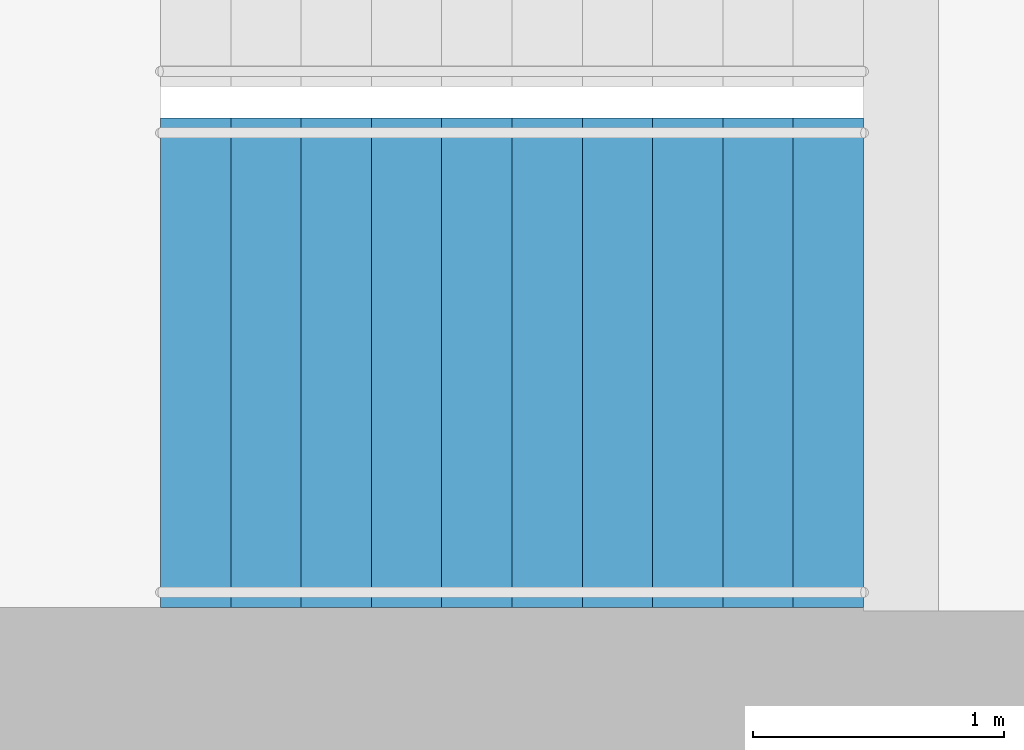
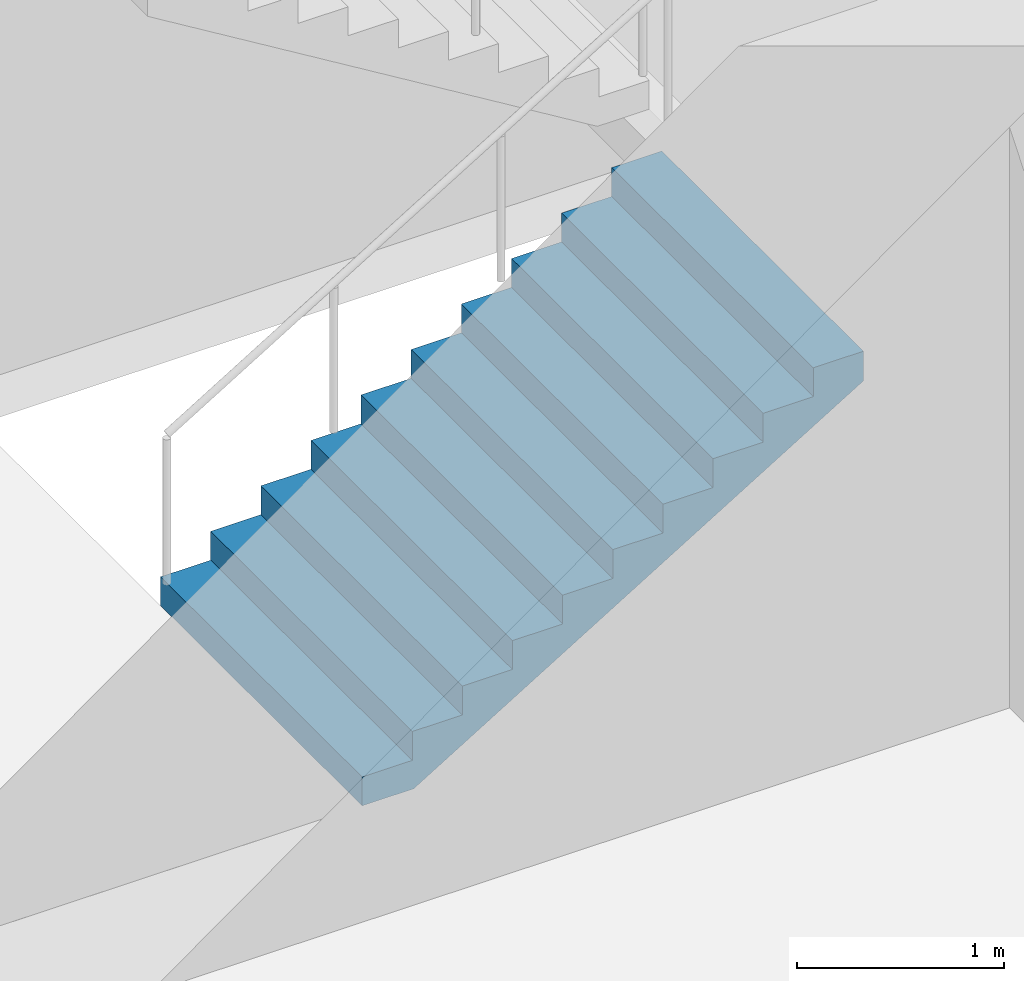
# One storey, part 18 of 22: 1 stair flight, 1 element without a shape of its own.
"""IFC4 building model written with IfcOpenShell, lengths in metres."""

from ifc_helpers import new_model, si_unit, direction, frame, origin, place, context, subcontext, project, spatial, triangles, material, type_object, element, aggregate, save


model = new_model("IFC4")

# Units and contexts
model_context = context("Model", 3, precision=1e-05, world=origin(), true_north=direction((0.0, 1.0)))
body_context = subcontext(model_context, "Body", "Model", "MODEL_VIEW")
ifc_project = project(units=[si_unit("LENGTHUNIT", "METRE"), si_unit("AREAUNIT", "SQUARE_METRE"), si_unit("VOLUMEUNIT", "CUBIC_METRE"), si_unit("PLANEANGLEUNIT", "RADIAN"), si_unit("MASSUNIT", "GRAM", prefix="KILO")], contexts=[model_context])

# Site, building, storey
site_placement = place(None, origin())
site = spatial("IfcSite", under=ifc_project, at=site_placement, CompositionType="ELEMENT")
building_placement = place(site_placement, origin())
building = spatial("IfcBuilding", under=site, at=building_placement, Name="Orbita Commons", CompositionType="ELEMENT")
storey_placement = place(building_placement, frame((0.0, 0.0, 159.85009765625)))
storey = spatial("IfcBuildingStorey", under=building, at=storey_placement, Name="L39", CompositionType="ELEMENT", Elevation=159.85009765625)

# Stair, stair flight
ifc_material_1 = material(Name="Precast concrete C40/50", Category="concrete")
stair_type = type_object("IfcStairType", Name="Exit stair S1 2 flights 11 risers 170", PredefinedType="HALF_TURN_STAIR", material=ifc_material_1)
stair_placement = place(storey_placement, origin())
stair = element("IfcStair", 1, at=stair_placement, inside=storey, type_object=stair_type, Name="Exit stair S1 L39", PredefinedType="HALF_TURN_STAIR")
ifc_material_2 = material(Name="Precast concrete C40/50", Category="concrete")
stair_flight_type = type_object("IfcStairFlightType", Name="Stair flight 11 risers 170 x 280", PredefinedType="STRAIGHT", material=ifc_material_2)
stair_flight_placement = place(storey_placement, frame((20.449951171875, 27.199951171875, 0.0), z_axis=(0.0, 0.0, 1.0), x_axis=(1.0, 0.0, 0.0)))
stair_flight = element("IfcStairFlight", 2, at=stair_flight_placement, type_object=stair_flight_type, Name="S1 flight 1", NumberOfRisers=11, NumberOfTreads=10, PredefinedType="STRAIGHT", RiserHeight=0.170454545, TreadLength=0.28, context=body_context, shape_type="Tessellation", body=[
    triangles([(0.0, 0.974976, 0.0), (0.0, 0.974976, 0.021307), (0.0, 0.81248, 0.021307), (0.0, 0.81248, 0.0), (0.0, 0.649984, 0.021307), (0.0, 0.649984, 0.0), (0.0, 0.487488, 0.021307), (0.0, 0.487488, 0.0), (0.0, 0.324992, 0.021307), (0.0, 0.324992, 0.0), (0.0, 0.162496, 0.021307), (0.0, 0.162496, 0.0), (0.0, 0.0, 0.021307), (0.0, 0.0, 0.0), (0.0, -0.162496, 0.021307), (0.0, -0.162496, 0.0), (0.0, -0.324992, 0.021307), (0.0, -0.324992, 0.0), (0.0, -0.487488, 0.021307), (0.0, -0.487488, 0.0), (0.0, -0.649984, 0.021307), (0.0, -0.649984, 0.0), (0.0, -0.81248, 0.021307), (0.0, -0.81248, 0.0), (0.0, -0.974976, 0.021307), (0.0, -0.974976, 0.0), (0.0, 0.974976, 0.042614), (0.0, 0.81248, 0.042614), (0.0, 0.649984, 0.042614), (0.0, 0.487488, 0.042614), (0.0, 0.324992, 0.042614), (0.0, 0.162496, 0.042614), (0.0, 0.0, 0.042614), (0.0, -0.162496, 0.042614), (0.0, -0.324992, 0.042614), (0.0, -0.487488, 0.042614), (0.0, -0.649984, 0.042614), (0.0, -0.81248, 0.042614), (0.0, -0.974976, 0.042614), (0.0, 0.974976, 0.06392), (0.0, 0.81248, 0.06392), (0.0, 0.649984, 0.06392), (0.0, 0.487488, 0.06392), (0.0, 0.324992, 0.06392), (0.0, 0.162496, 0.06392), (0.0, 0.0, 0.06392), (0.0, -0.162496, 0.06392), (0.0, -0.324992, 0.06392), (0.0, -0.487488, 0.06392), (0.0, -0.649984, 0.06392), (0.0, -0.81248, 0.06392), (0.0, -0.974976, 0.06392), (0.0, 0.974976, 0.085227), (0.0, 0.81248, 0.085227), (0.0, 0.649984, 0.085227), (0.0, 0.487488, 0.085227), (0.0, 0.324992, 0.085227), (0.0, 0.162496, 0.085227), (0.0, 0.0, 0.085227), (0.0, -0.162496, 0.085227), (0.0, -0.324992, 0.085227), (0.0, -0.487488, 0.085227), (0.0, -0.649984, 0.085227), (0.0, -0.81248, 0.085227), (0.0, -0.974976, 0.085227), (0.0, 0.974976, 0.106534), (0.0, 0.81248, 0.106534), (0.0, 0.649984, 0.106534), (0.0, 0.487488, 0.106534), (0.0, 0.324992, 0.106534), (0.0, 0.162496, 0.106534), (0.0, 0.0, 0.106534), (0.0, -0.162496, 0.106534), (0.0, -0.324992, 0.106534), (0.0, -0.487488, 0.106534), (0.0, -0.649984, 0.106534), (0.0, -0.81248, 0.106534), (0.0, -0.974976, 0.106534), (0.0, 0.974976, 0.127841), (0.0, 0.81248, 0.127841), (0.0, 0.649984, 0.127841), (0.0, 0.487488, 0.127841), (0.0, 0.324992, 0.127841), (0.0, 0.162496, 0.127841), (0.0, 0.0, 0.127841), (0.0, -0.162496, 0.127841), (0.0, -0.324992, 0.127841), (0.0, -0.487488, 0.127841), (0.0, -0.649984, 0.127841), (0.0, -0.81248, 0.127841), (0.0, -0.974976, 0.127841), (0.0, 0.974976, 0.149148), (0.0, 0.81248, 0.149148), (0.0, 0.649984, 0.149148), (0.0, 0.487488, 0.149148), (0.0, 0.324992, 0.149148), (0.0, 0.162496, 0.149148), (0.0, 0.0, 0.149148), (0.0, -0.162496, 0.149148), (0.0, -0.324992, 0.149148), (0.0, -0.487488, 0.149148), (0.0, -0.649984, 0.149148), (0.0, -0.81248, 0.149148), (0.0, -0.974976, 0.149148), (0.0, 0.974976, 0.170455), (0.0, 0.81248, 0.170455), (0.0, 0.649984, 0.170455), (0.0, 0.487488, 0.170455), (0.0, 0.324992, 0.170455), (0.0, 0.162496, 0.170455), (0.0, 0.0, 0.170455), (0.0, -0.162496, 0.170455), (0.0, -0.324992, 0.170455), (0.0, -0.487488, 0.170455), (0.0, -0.649984, 0.170455), (0.0, -0.81248, 0.170455), (0.0, -0.974976, 0.170455), (0.28, 0.974976, 0.170455), (0.28, 0.81248, 0.170455), (0.28, 0.649984, 0.170455), (0.28, 0.487488, 0.170455), (0.28, 0.324992, 0.170455), (0.28, 0.162496, 0.170455), (0.28, 0.0, 0.170455), (0.28, -0.162496, 0.170455), (0.28, -0.324992, 0.170455), (0.28, -0.487488, 0.170455), (0.28, -0.649984, 0.170455), (0.28, -0.81248, 0.170455), (0.28, -0.974976, 0.170455), (0.28, 0.974976, 0.340909), (0.28, 0.81248, 0.340909), (0.28, 0.649984, 0.340909), (0.28, 0.487488, 0.340909), (0.28, 0.324992, 0.340909), (0.28, 0.162496, 0.340909), (0.28, 0.0, 0.340909), (0.28, -0.162496, 0.340909), (0.28, -0.324992, 0.340909), (0.28, -0.487488, 0.340909), (0.28, -0.649984, 0.340909), (0.28, -0.81248, 0.340909), (0.28, -0.974976, 0.340909), (0.56, 0.974976, 0.340909), (0.56, 0.81248, 0.340909), (0.56, 0.649984, 0.340909), (0.56, 0.487488, 0.340909), (0.56, 0.324992, 0.340909), (0.56, 0.162496, 0.340909), (0.56, 0.0, 0.340909), (0.56, -0.162496, 0.340909), (0.56, -0.324992, 0.340909), (0.56, -0.487488, 0.340909), (0.56, -0.649984, 0.340909), (0.56, -0.81248, 0.340909), (0.56, -0.974976, 0.340909), (0.56, 0.974976, 0.511364), (0.56, 0.81248, 0.511364), (0.56, 0.649984, 0.511364), (0.56, 0.487488, 0.511364), (0.56, 0.324992, 0.511364), (0.56, 0.162496, 0.511364), (0.56, 0.0, 0.511364), (0.56, -0.162496, 0.511364), (0.56, -0.324992, 0.511364), (0.56, -0.487488, 0.511364), (0.56, -0.649984, 0.511364), (0.56, -0.81248, 0.511364), (0.56, -0.974976, 0.511364), (0.84, 0.974976, 0.511364), (0.84, 0.81248, 0.511364), (0.84, 0.649984, 0.511364), (0.84, 0.487488, 0.511364), (0.84, 0.324992, 0.511364), (0.84, 0.162496, 0.511364), (0.84, 0.0, 0.511364), (0.84, -0.162496, 0.511364), (0.84, -0.324992, 0.511364), (0.84, -0.487488, 0.511364), (0.84, -0.649984, 0.511364), (0.84, -0.81248, 0.511364), (0.84, -0.974976, 0.511364), (0.84, 0.974976, 0.681818), (0.84, 0.81248, 0.681818), (0.84, 0.649984, 0.681818), (0.84, 0.487488, 0.681818), (0.84, 0.324992, 0.681818), (0.84, 0.162496, 0.681818), (0.84, 0.0, 0.681818), (0.84, -0.162496, 0.681818), (0.84, -0.324992, 0.681818), (0.84, -0.487488, 0.681818), (0.84, -0.649984, 0.681818), (0.84, -0.81248, 0.681818), (0.84, -0.974976, 0.681818), (1.12, 0.974976, 0.681818), (1.12, 0.81248, 0.681818), (1.12, 0.649984, 0.681818), (1.12, 0.487488, 0.681818), (1.12, 0.324992, 0.681818), (1.12, 0.162496, 0.681818), (1.12, 0.0, 0.681818), (1.12, -0.162496, 0.681818), (1.12, -0.324992, 0.681818), (1.12, -0.487488, 0.681818), (1.12, -0.649984, 0.681818), (1.12, -0.81248, 0.681818), (1.12, -0.974976, 0.681818), (1.12, 0.974976, 0.852273), (1.12, 0.81248, 0.852273), (1.12, 0.649984, 0.852273), (1.12, 0.487488, 0.852273), (1.12, 0.324992, 0.852273), (1.12, 0.162496, 0.852273), (1.12, 0.0, 0.852273), (1.12, -0.162496, 0.852273), (1.12, -0.324992, 0.852273), (1.12, -0.487488, 0.852273), (1.12, -0.649984, 0.852273), (1.12, -0.81248, 0.852273), (1.12, -0.974976, 0.852273), (1.4, 0.974976, 0.852273), (1.4, 0.81248, 0.852273), (1.4, 0.649984, 0.852273), (1.4, 0.487488, 0.852273), (1.4, 0.324992, 0.852273), (1.4, 0.162496, 0.852273), (1.4, 0.0, 0.852273), (1.4, -0.162496, 0.852273), (1.4, -0.324992, 0.852273), (1.4, -0.487488, 0.852273), (1.4, -0.649984, 0.852273), (1.4, -0.81248, 0.852273), (1.4, -0.974976, 0.852273), (1.4, 0.974976, 1.022727), (1.4, 0.81248, 1.022727), (1.4, 0.649984, 1.022727), (1.4, 0.487488, 1.022727), (1.4, 0.324992, 1.022727), (1.4, 0.162496, 1.022727), (1.4, 0.0, 1.022727), (1.4, -0.162496, 1.022727), (1.4, -0.324992, 1.022727), (1.4, -0.487488, 1.022727), (1.4, -0.649984, 1.022727), (1.4, -0.81248, 1.022727), (1.4, -0.974976, 1.022727), (1.68, 0.974976, 1.022727), (1.68, 0.81248, 1.022727), (1.68, 0.649984, 1.022727), (1.68, 0.487488, 1.022727), (1.68, 0.324992, 1.022727), (1.68, 0.162496, 1.022727), (1.68, 0.0, 1.022727), (1.68, -0.162496, 1.022727), (1.68, -0.324992, 1.022727), (1.68, -0.487488, 1.022727), (1.68, -0.649984, 1.022727), (1.68, -0.81248, 1.022727), (1.68, -0.974976, 1.022727), (1.68, 0.974976, 1.193182), (1.68, 0.81248, 1.193182), (1.68, 0.649984, 1.193182), (1.68, 0.487488, 1.193182), (1.68, 0.324992, 1.193182), (1.68, 0.162496, 1.193182), (1.68, 0.0, 1.193182), (1.68, -0.162496, 1.193182), (1.68, -0.324992, 1.193182), (1.68, -0.487488, 1.193182), (1.68, -0.649984, 1.193182), (1.68, -0.81248, 1.193182), (1.68, -0.974976, 1.193182), (1.96, 0.974976, 1.193182), (1.96, 0.81248, 1.193182), (1.96, 0.649984, 1.193182), (1.96, 0.487488, 1.193182), (1.96, 0.324992, 1.193182), (1.96, 0.162496, 1.193182), (1.96, 0.0, 1.193182), (1.96, -0.162496, 1.193182), (1.96, -0.324992, 1.193182), (1.96, -0.487488, 1.193182), (1.96, -0.649984, 1.193182), (1.96, -0.81248, 1.193182), (1.96, -0.974976, 1.193182), (1.96, 0.974976, 1.363636), (1.96, 0.81248, 1.363636), (1.96, 0.649984, 1.363636), (1.96, 0.487488, 1.363636), (1.96, 0.324992, 1.363636), (1.96, 0.162496, 1.363636), (1.96, 0.0, 1.363636), (1.96, -0.162496, 1.363636), (1.96, -0.324992, 1.363636), (1.96, -0.487488, 1.363636), (1.96, -0.649984, 1.363636), (1.96, -0.81248, 1.363636), (1.96, -0.974976, 1.363636), (2.24, 0.974976, 1.363636), (2.24, 0.81248, 1.363636), (2.24, 0.649984, 1.363636), (2.24, 0.487488, 1.363636), (2.24, 0.324992, 1.363636), (2.24, 0.162496, 1.363636), (2.24, 0.0, 1.363636), (2.24, -0.162496, 1.363636), (2.24, -0.324992, 1.363636), (2.24, -0.487488, 1.363636), (2.24, -0.649984, 1.363636), (2.24, -0.81248, 1.363636), (2.24, -0.974976, 1.363636), (2.24, 0.974976, 1.534091), (2.24, 0.81248, 1.534091), (2.24, 0.649984, 1.534091), (2.24, 0.487488, 1.534091), (2.24, 0.324992, 1.534091), (2.24, 0.162496, 1.534091), (2.24, 0.0, 1.534091), (2.24, -0.162496, 1.534091), (2.24, -0.324992, 1.534091), (2.24, -0.487488, 1.534091), (2.24, -0.649984, 1.534091), (2.24, -0.81248, 1.534091), (2.24, -0.974976, 1.534091), (2.52, 0.974976, 1.534091), (2.52, 0.81248, 1.534091), (2.52, 0.649984, 1.534091), (2.52, 0.487488, 1.534091), (2.52, 0.324992, 1.534091), (2.52, 0.162496, 1.534091), (2.52, 0.0, 1.534091), (2.52, -0.162496, 1.534091), (2.52, -0.324992, 1.534091), (2.52, -0.487488, 1.534091), (2.52, -0.649984, 1.534091), (2.52, -0.81248, 1.534091), (2.52, -0.974976, 1.534091), (2.52, 0.974976, 1.704545), (2.52, 0.81248, 1.704545), (2.52, 0.649984, 1.704545), (2.52, 0.487488, 1.704545), (2.52, 0.324992, 1.704545), (2.52, 0.162496, 1.704545), (2.52, 0.0, 1.704545), (2.52, -0.162496, 1.704545), (2.52, -0.324992, 1.704545), (2.52, -0.487488, 1.704545), (2.52, -0.649984, 1.704545), (2.52, -0.81248, 1.704545), (2.52, -0.974976, 1.704545), (2.8, 0.974976, 1.704545), (2.8, 0.81248, 1.704545), (2.8, 0.649984, 1.704545), (2.8, 0.487488, 1.704545), (2.8, 0.324992, 1.704545), (2.8, 0.162496, 1.704545), (2.8, 0.0, 1.704545), (2.8, -0.162496, 1.704545), (2.8, -0.324992, 1.704545), (2.8, -0.487488, 1.704545), (2.8, -0.649984, 1.704545), (2.8, -0.81248, 1.704545), (2.8, -0.974976, 1.704545), (2.8, 0.974976, 1.682609), (2.8, 0.81248, 1.682609), (2.8, 0.649984, 1.682609), (2.8, 0.487488, 1.682609), (2.8, 0.324992, 1.682609), (2.8, 0.162496, 1.682609), (2.8, 0.0, 1.682609), (2.8, -0.162496, 1.682609), (2.8, -0.324992, 1.682609), (2.8, -0.487488, 1.682609), (2.8, -0.649984, 1.682609), (2.8, -0.81248, 1.682609), (2.8, -0.974976, 1.682609), (2.8, 0.974976, 1.660672), (2.8, 0.81248, 1.660672), (2.8, 0.649984, 1.660672), (2.8, 0.487488, 1.660672), (2.8, 0.324992, 1.660672), (2.8, 0.162496, 1.660672), (2.8, 0.0, 1.660672), (2.8, -0.162496, 1.660672), (2.8, -0.324992, 1.660672), (2.8, -0.487488, 1.660672), (2.8, -0.649984, 1.660672), (2.8, -0.81248, 1.660672), (2.8, -0.974976, 1.660672), (2.8, 0.974976, 1.638735), (2.8, 0.81248, 1.638735), (2.8, 0.649984, 1.638735), (2.8, 0.487488, 1.638735), (2.8, 0.324992, 1.638735), (2.8, 0.162496, 1.638735), (2.8, 0.0, 1.638735), (2.8, -0.162496, 1.638735), (2.8, -0.324992, 1.638735), (2.8, -0.487488, 1.638735), (2.8, -0.649984, 1.638735), (2.8, -0.81248, 1.638735), (2.8, -0.974976, 1.638735), (2.8, 0.974976, 1.616798), (2.8, 0.81248, 1.616798), (2.8, 0.649984, 1.616798), (2.8, 0.487488, 1.616798), (2.8, 0.324992, 1.616798), (2.8, 0.162496, 1.616798), (2.8, 0.0, 1.616798), (2.8, -0.162496, 1.616798), (2.8, -0.324992, 1.616798), (2.8, -0.487488, 1.616798), (2.8, -0.649984, 1.616798), (2.8, -0.81248, 1.616798), (2.8, -0.974976, 1.616798), (2.8, 0.974976, 1.594861), (2.8, 0.81248, 1.594861), (2.8, 0.649984, 1.594861), (2.8, 0.487488, 1.594861), (2.8, 0.324992, 1.594861), (2.8, 0.162496, 1.594861), (2.8, 0.0, 1.594861), (2.8, -0.162496, 1.594861), (2.8, -0.324992, 1.594861), (2.8, -0.487488, 1.594861), (2.8, -0.649984, 1.594861), (2.8, -0.81248, 1.594861), (2.8, -0.974976, 1.594861), (2.8, 0.974976, 1.572925), (2.8, 0.81248, 1.572925), (2.8, 0.649984, 1.572925), (2.8, 0.487488, 1.572925), (2.8, 0.324992, 1.572925), (2.8, 0.162496, 1.572925), (2.8, 0.0, 1.572925), (2.8, -0.162496, 1.572925), (2.8, -0.324992, 1.572925), (2.8, -0.487488, 1.572925), (2.8, -0.649984, 1.572925), (2.8, -0.81248, 1.572925), (2.8, -0.974976, 1.572925), (2.8, 0.974976, 1.550988), (2.8, 0.81248, 1.550988), (2.8, 0.649984, 1.550988), (2.8, 0.487488, 1.550988), (2.8, 0.324992, 1.550988), (2.8, 0.162496, 1.550988), (2.8, 0.0, 1.550988), (2.8, -0.162496, 1.550988), (2.8, -0.324992, 1.550988), (2.8, -0.487488, 1.550988), (2.8, -0.649984, 1.550988), (2.8, -0.81248, 1.550988), (2.8, -0.974976, 1.550988), (2.8, 0.974976, 1.529051), (2.8, 0.81248, 1.529051), (2.8, 0.649984, 1.529051), (2.8, 0.487488, 1.529051), (2.8, 0.324992, 1.529051), (2.8, 0.162496, 1.529051), (2.8, 0.0, 1.529051), (2.8, -0.162496, 1.529051), (2.8, -0.324992, 1.529051), (2.8, -0.487488, 1.529051), (2.8, -0.649984, 1.529051), (2.8, -0.81248, 1.529051), (2.8, -0.974976, 1.529051), (0.288279, 0.974976, 0.0), (0.288279, 0.81248, 0.0), (0.288279, 0.649984, 0.0), (0.288279, 0.487488, 0.0), (0.288279, 0.324992, 0.0), (0.288279, 0.162496, 0.0), (0.288279, 0.0, 0.0), (0.288279, -0.162496, 0.0), (0.288279, -0.324992, 0.0), (0.288279, -0.487488, 0.0), (0.288279, -0.649984, 0.0), (0.288279, -0.81248, 0.0), (0.288279, -0.974976, 0.0)], [[3, 2, 1], [4, 3, 1], [5, 3, 4], [6, 5, 4], [7, 5, 6], [8, 7, 6], [9, 7, 8], [10, 9, 8], [11, 9, 10], [12, 11, 10], [13, 11, 12], [14, 13, 12], [15, 13, 14], [16, 15, 14], [17, 15, 16], [18, 17, 16], [19, 17, 18], [20, 19, 18], [21, 19, 20], [22, 21, 20], [23, 21, 22], [24, 23, 22], [25, 23, 24], [26, 25, 24], [28, 27, 2], [3, 28, 2], [29, 28, 3], [5, 29, 3], [30, 29, 5], [7, 30, 5], [31, 30, 7], [9, 31, 7], [32, 31, 9], [11, 32, 9], [33, 32, 11], [13, 33, 11], [34, 33, 13], [15, 34, 13], [35, 34, 15], [17, 35, 15], [36, 35, 17], [19, 36, 17], [37, 36, 19], [21, 37, 19], [38, 37, 21], [23, 38, 21], [39, 38, 23], [25, 39, 23], [41, 40, 27], [28, 41, 27], [42, 41, 28], [29, 42, 28], [43, 42, 29], [30, 43, 29], [44, 43, 30], [31, 44, 30], [45, 44, 31], [32, 45, 31], [46, 45, 32], [33, 46, 32], [47, 46, 33], [34, 47, 33], [48, 47, 34], [35, 48, 34], [49, 48, 35], [36, 49, 35], [50, 49, 36], [37, 50, 36], [51, 50, 37], [38, 51, 37], [52, 51, 38], [39, 52, 38], [54, 53, 40], [41, 54, 40], [55, 54, 41], [42, 55, 41], [56, 55, 42], [43, 56, 42], [57, 56, 43], [44, 57, 43], [58, 57, 44], [45, 58, 44], [59, 58, 45], [46, 59, 45], [60, 59, 46], [47, 60, 46], [61, 60, 47], [48, 61, 47], [62, 61, 48], [49, 62, 48], [63, 62, 49], [50, 63, 49], [64, 63, 50], [51, 64, 50], [65, 64, 51], [52, 65, 51], [67, 66, 53], [54, 67, 53], [68, 67, 54], [55, 68, 54], [69, 68, 55], [56, 69, 55], [70, 69, 56], [57, 70, 56], [71, 70, 57], [58, 71, 57], [72, 71, 58], [59, 72, 58], [73, 72, 59], [60, 73, 59], [74, 73, 60], [61, 74, 60], [75, 74, 61], [62, 75, 61], [76, 75, 62], [63, 76, 62], [77, 76, 63], [64, 77, 63], [78, 77, 64], [65, 78, 64], [80, 79, 66], [67, 80, 66], [81, 80, 67], [68, 81, 67], [82, 81, 68], [69, 82, 68], [83, 82, 69], [70, 83, 69], [84, 83, 70], [71, 84, 70], [85, 84, 71], [72, 85, 71], [86, 85, 72], [73, 86, 72], [87, 86, 73], [74, 87, 73], [88, 87, 74], [75, 88, 74], [89, 88, 75], [76, 89, 75], [90, 89, 76], [77, 90, 76], [91, 90, 77], [78, 91, 77], [93, 92, 79], [80, 93, 79], [94, 93, 80], [81, 94, 80], [95, 94, 81], [82, 95, 81], [96, 95, 82], [83, 96, 82], [97, 96, 83], [84, 97, 83], [98, 97, 84], [85, 98, 84], [99, 98, 85], [86, 99, 85], [100, 99, 86], [87, 100, 86], [101, 100, 87], [88, 101, 87], [102, 101, 88], [89, 102, 88], [103, 102, 89], [90, 103, 89], [104, 103, 90], [91, 104, 90], [106, 105, 92], [93, 106, 92], [107, 106, 93], [94, 107, 93], [108, 107, 94], [95, 108, 94], [109, 108, 95], [96, 109, 95], [110, 109, 96], [97, 110, 96], [111, 110, 97], [98, 111, 97], [112, 111, 98], [99, 112, 98], [113, 112, 99], [100, 113, 99], [114, 113, 100], [101, 114, 100], [115, 114, 101], [102, 115, 101], [116, 115, 102], [103, 116, 102], [117, 116, 103], [104, 117, 103], [119, 118, 105], [106, 119, 105], [120, 119, 106], [107, 120, 106], [121, 120, 107], [108, 121, 107], [122, 121, 108], [109, 122, 108], [123, 122, 109], [110, 123, 109], [124, 123, 110], [111, 124, 110], [125, 124, 111], [112, 125, 111], [126, 125, 112], [113, 126, 112], [127, 126, 113], [114, 127, 113], [128, 127, 114], [115, 128, 114], [129, 128, 115], [116, 129, 115], [130, 129, 116], [117, 130, 116], [132, 131, 118], [119, 132, 118], [133, 132, 119], [120, 133, 119], [134, 133, 120], [121, 134, 120], [135, 134, 121], [122, 135, 121], [136, 135, 122], [123, 136, 122], [137, 136, 123], [124, 137, 123], [138, 137, 124], [125, 138, 124], [139, 138, 125], [126, 139, 125], [140, 139, 126], [127, 140, 126], [141, 140, 127], [128, 141, 127], [142, 141, 128], [129, 142, 128], [143, 142, 129], [130, 143, 129], [145, 144, 131], [132, 145, 131], [146, 145, 132], [133, 146, 132], [147, 146, 133], [134, 147, 133], [148, 147, 134], [135, 148, 134], [149, 148, 135], [136, 149, 135], [150, 149, 136], [137, 150, 136], [151, 150, 137], [138, 151, 137], [152, 151, 138], [139, 152, 138], [153, 152, 139], [140, 153, 139], [154, 153, 140], [141, 154, 140], [155, 154, 141], [142, 155, 141], [156, 155, 142], [143, 156, 142], [158, 157, 144], [145, 158, 144], [159, 158, 145], [146, 159, 145], [160, 159, 146], [147, 160, 146], [161, 160, 147], [148, 161, 147], [162, 161, 148], [149, 162, 148], [163, 162, 149], [150, 163, 149], [164, 163, 150], [151, 164, 150], [165, 164, 151], [152, 165, 151], [166, 165, 152], [153, 166, 152], [167, 166, 153], [154, 167, 153], [168, 167, 154], [155, 168, 154], [169, 168, 155], [156, 169, 155], [171, 170, 157], [158, 171, 157], [172, 171, 158], [159, 172, 158], [173, 172, 159], [160, 173, 159], [174, 173, 160], [161, 174, 160], [175, 174, 161], [162, 175, 161], [176, 175, 162], [163, 176, 162], [177, 176, 163], [164, 177, 163], [178, 177, 164], [165, 178, 164], [179, 178, 165], [166, 179, 165], [180, 179, 166], [167, 180, 166], [181, 180, 167], [168, 181, 167], [182, 181, 168], [169, 182, 168], [184, 183, 170], [171, 184, 170], [185, 184, 171], [172, 185, 171], [186, 185, 172], [173, 186, 172], [187, 186, 173], [174, 187, 173], [188, 187, 174], [175, 188, 174], [189, 188, 175], [176, 189, 175], [190, 189, 176], [177, 190, 176], [191, 190, 177], [178, 191, 177], [192, 191, 178], [179, 192, 178], [193, 192, 179], [180, 193, 179], [194, 193, 180], [181, 194, 180], [195, 194, 181], [182, 195, 181], [197, 196, 183], [184, 197, 183], [198, 197, 184], [185, 198, 184], [199, 198, 185], [186, 199, 185], [200, 199, 186], [187, 200, 186], [201, 200, 187], [188, 201, 187], [202, 201, 188], [189, 202, 188], [203, 202, 189], [190, 203, 189], [204, 203, 190], [191, 204, 190], [205, 204, 191], [192, 205, 191], [206, 205, 192], [193, 206, 192], [207, 206, 193], [194, 207, 193], [208, 207, 194], [195, 208, 194], [210, 209, 196], [197, 210, 196], [211, 210, 197], [198, 211, 197], [212, 211, 198], [199, 212, 198], [213, 212, 199], [200, 213, 199], [214, 213, 200], [201, 214, 200], [215, 214, 201], [202, 215, 201], [216, 215, 202], [203, 216, 202], [217, 216, 203], [204, 217, 203], [218, 217, 204], [205, 218, 204], [219, 218, 205], [206, 219, 205], [220, 219, 206], [207, 220, 206], [221, 220, 207], [208, 221, 207], [223, 222, 209], [210, 223, 209], [224, 223, 210], [211, 224, 210], [225, 224, 211], [212, 225, 211], [226, 225, 212], [213, 226, 212], [227, 226, 213], [214, 227, 213], [228, 227, 214], [215, 228, 214], [229, 228, 215], [216, 229, 215], [230, 229, 216], [217, 230, 216], [231, 230, 217], [218, 231, 217], [232, 231, 218], [219, 232, 218], [233, 232, 219], [220, 233, 219], [234, 233, 220], [221, 234, 220], [236, 235, 222], [223, 236, 222], [237, 236, 223], [224, 237, 223], [238, 237, 224], [225, 238, 224], [239, 238, 225], [226, 239, 225], [240, 239, 226], [227, 240, 226], [241, 240, 227], [228, 241, 227], [242, 241, 228], [229, 242, 228], [243, 242, 229], [230, 243, 229], [244, 243, 230], [231, 244, 230], [245, 244, 231], [232, 245, 231], [246, 245, 232], [233, 246, 232], [247, 246, 233], [234, 247, 233], [249, 248, 235], [236, 249, 235], [250, 249, 236], [237, 250, 236], [251, 250, 237], [238, 251, 237], [252, 251, 238], [239, 252, 238], [253, 252, 239], [240, 253, 239], [254, 253, 240], [241, 254, 240], [255, 254, 241], [242, 255, 241], [256, 255, 242], [243, 256, 242], [257, 256, 243], [244, 257, 243], [258, 257, 244], [245, 258, 244], [259, 258, 245], [246, 259, 245], [260, 259, 246], [247, 260, 246], [262, 261, 248], [249, 262, 248], [263, 262, 249], [250, 263, 249], [264, 263, 250], [251, 264, 250], [265, 264, 251], [252, 265, 251], [266, 265, 252], [253, 266, 252], [267, 266, 253], [254, 267, 253], [268, 267, 254], [255, 268, 254], [269, 268, 255], [256, 269, 255], [270, 269, 256], [257, 270, 256], [271, 270, 257], [258, 271, 257], [272, 271, 258], [259, 272, 258], [273, 272, 259], [260, 273, 259], [275, 274, 261], [262, 275, 261], [276, 275, 262], [263, 276, 262], [277, 276, 263], [264, 277, 263], [278, 277, 264], [265, 278, 264], [279, 278, 265], [266, 279, 265], [280, 279, 266], [267, 280, 266], [281, 280, 267], [268, 281, 267], [282, 281, 268], [269, 282, 268], [283, 282, 269], [270, 283, 269], [284, 283, 270], [271, 284, 270], [285, 284, 271], [272, 285, 271], [286, 285, 272], [273, 286, 272], [288, 287, 274], [275, 288, 274], [289, 288, 275], [276, 289, 275], [290, 289, 276], [277, 290, 276], [291, 290, 277], [278, 291, 277], [292, 291, 278], [279, 292, 278], [293, 292, 279], [280, 293, 279], [294, 293, 280], [281, 294, 280], [295, 294, 281], [282, 295, 281], [296, 295, 282], [283, 296, 282], [297, 296, 283], [284, 297, 283], [298, 297, 284], [285, 298, 284], [299, 298, 285], [286, 299, 285], [301, 300, 287], [288, 301, 287], [302, 301, 288], [289, 302, 288], [303, 302, 289], [290, 303, 289], [304, 303, 290], [291, 304, 290], [305, 304, 291], [292, 305, 291], [306, 305, 292], [293, 306, 292], [307, 306, 293], [294, 307, 293], [308, 307, 294], [295, 308, 294], [309, 308, 295], [296, 309, 295], [310, 309, 296], [297, 310, 296], [311, 310, 297], [298, 311, 297], [312, 311, 298], [299, 312, 298], [314, 313, 300], [301, 314, 300], [315, 314, 301], [302, 315, 301], [316, 315, 302], [303, 316, 302], [317, 316, 303], [304, 317, 303], [318, 317, 304], [305, 318, 304], [319, 318, 305], [306, 319, 305], [320, 319, 306], [307, 320, 306], [321, 320, 307], [308, 321, 307], [322, 321, 308], [309, 322, 308], [323, 322, 309], [310, 323, 309], [324, 323, 310], [311, 324, 310], [325, 324, 311], [312, 325, 311], [327, 326, 313], [314, 327, 313], [328, 327, 314], [315, 328, 314], [329, 328, 315], [316, 329, 315], [330, 329, 316], [317, 330, 316], [331, 330, 317], [318, 331, 317], [332, 331, 318], [319, 332, 318], [333, 332, 319], [320, 333, 319], [334, 333, 320], [321, 334, 320], [335, 334, 321], [322, 335, 321], [336, 335, 322], [323, 336, 322], [337, 336, 323], [324, 337, 323], [338, 337, 324], [325, 338, 324], [340, 339, 326], [327, 340, 326], [341, 340, 327], [328, 341, 327], [342, 341, 328], [329, 342, 328], [343, 342, 329], [330, 343, 329], [344, 343, 330], [331, 344, 330], [345, 344, 331], [332, 345, 331], [346, 345, 332], [333, 346, 332], [347, 346, 333], [334, 347, 333], [348, 347, 334], [335, 348, 334], [349, 348, 335], [336, 349, 335], [350, 349, 336], [337, 350, 336], [351, 350, 337], [338, 351, 337], [353, 352, 339], [340, 353, 339], [354, 353, 340], [341, 354, 340], [355, 354, 341], [342, 355, 341], [356, 355, 342], [343, 356, 342], [357, 356, 343], [344, 357, 343], [358, 357, 344], [345, 358, 344], [359, 358, 345], [346, 359, 345], [360, 359, 346], [347, 360, 346], [361, 360, 347], [348, 361, 347], [362, 361, 348], [349, 362, 348], [363, 362, 349], [350, 363, 349], [364, 363, 350], [351, 364, 350], [366, 365, 352], [353, 366, 352], [367, 366, 353], [354, 367, 353], [368, 367, 354], [355, 368, 354], [369, 368, 355], [356, 369, 355], [370, 369, 356], [357, 370, 356], [371, 370, 357], [358, 371, 357], [372, 371, 358], [359, 372, 358], [373, 372, 359], [360, 373, 359], [374, 373, 360], [361, 374, 360], [375, 374, 361], [362, 375, 361], [376, 375, 362], [363, 376, 362], [377, 376, 363], [364, 377, 363], [379, 378, 365], [366, 379, 365], [380, 379, 366], [367, 380, 366], [381, 380, 367], [368, 381, 367], [382, 381, 368], [369, 382, 368], [383, 382, 369], [370, 383, 369], [384, 383, 370], [371, 384, 370], [385, 384, 371], [372, 385, 371], [386, 385, 372], [373, 386, 372], [387, 386, 373], [374, 387, 373], [388, 387, 374], [375, 388, 374], [389, 388, 375], [376, 389, 375], [390, 389, 376], [377, 390, 376], [392, 391, 378], [379, 392, 378], [393, 392, 379], [380, 393, 379], [394, 393, 380], [381, 394, 380], [395, 394, 381], [382, 395, 381], [396, 395, 382], [383, 396, 382], [397, 396, 383], [384, 397, 383], [398, 397, 384], [385, 398, 384], [399, 398, 385], [386, 399, 385], [400, 399, 386], [387, 400, 386], [401, 400, 387], [388, 401, 387], [402, 401, 388], [389, 402, 388], [403, 402, 389], [390, 403, 389], [405, 404, 391], [392, 405, 391], [406, 405, 392], [393, 406, 392], [407, 406, 393], [394, 407, 393], [408, 407, 394], [395, 408, 394], [409, 408, 395], [396, 409, 395], [410, 409, 396], [397, 410, 396], [411, 410, 397], [398, 411, 397], [412, 411, 398], [399, 412, 398], [413, 412, 399], [400, 413, 399], [414, 413, 400], [401, 414, 400], [415, 414, 401], [402, 415, 401], [416, 415, 402], [403, 416, 402], [418, 417, 404], [405, 418, 404], [419, 418, 405], [406, 419, 405], [420, 419, 406], [407, 420, 406], [421, 420, 407], [408, 421, 407], [422, 421, 408], [409, 422, 408], [423, 422, 409], [410, 423, 409], [424, 423, 410], [411, 424, 410], [425, 424, 411], [412, 425, 411], [426, 425, 412], [413, 426, 412], [427, 426, 413], [414, 427, 413], [428, 427, 414], [415, 428, 414], [429, 428, 415], [416, 429, 415], [431, 430, 417], [418, 431, 417], [432, 431, 418], [419, 432, 418], [433, 432, 419], [420, 433, 419], [434, 433, 420], [421, 434, 420], [435, 434, 421], [422, 435, 421], [436, 435, 422], [423, 436, 422], [437, 436, 423], [424, 437, 423], [438, 437, 424], [425, 438, 424], [439, 438, 425], [426, 439, 425], [440, 439, 426], [427, 440, 426], [441, 440, 427], [428, 441, 427], [442, 441, 428], [429, 442, 428], [444, 443, 430], [431, 444, 430], [445, 444, 431], [432, 445, 431], [446, 445, 432], [433, 446, 432], [447, 446, 433], [434, 447, 433], [448, 447, 434], [435, 448, 434], [449, 448, 435], [436, 449, 435], [450, 449, 436], [437, 450, 436], [451, 450, 437], [438, 451, 437], [452, 451, 438], [439, 452, 438], [453, 452, 439], [440, 453, 439], [454, 453, 440], [441, 454, 440], [455, 454, 441], [442, 455, 441], [457, 456, 443], [444, 457, 443], [458, 457, 444], [445, 458, 444], [459, 458, 445], [446, 459, 445], [460, 459, 446], [447, 460, 446], [461, 460, 447], [448, 461, 447], [462, 461, 448], [449, 462, 448], [463, 462, 449], [450, 463, 449], [464, 463, 450], [451, 464, 450], [465, 464, 451], [452, 465, 451], [466, 465, 452], [453, 466, 452], [467, 466, 453], [454, 467, 453], [468, 467, 454], [455, 468, 454], [470, 469, 456], [457, 470, 456], [471, 470, 457], [458, 471, 457], [472, 471, 458], [459, 472, 458], [473, 472, 459], [460, 473, 459], [474, 473, 460], [461, 474, 460], [475, 474, 461], [462, 475, 461], [476, 475, 462], [463, 476, 462], [477, 476, 463], [464, 477, 463], [478, 477, 464], [465, 478, 464], [479, 478, 465], [466, 479, 465], [480, 479, 466], [467, 480, 466], [481, 480, 467], [468, 481, 467], [4, 1, 469], [470, 4, 469], [6, 4, 470], [471, 6, 470], [8, 6, 471], [472, 8, 471], [10, 8, 472], [473, 10, 472], [12, 10, 473], [474, 12, 473], [14, 12, 474], [475, 14, 474], [16, 14, 475], [476, 16, 475], [18, 16, 476], [477, 18, 476], [20, 18, 477], [478, 20, 477], [22, 20, 478], [479, 22, 478], [24, 22, 479], [480, 24, 479], [26, 24, 480], [481, 26, 480], [456, 469, 1], [26, 481, 468], [443, 456, 1], [26, 468, 455], [430, 443, 1], [26, 455, 442], [417, 430, 1], [26, 442, 429], [404, 417, 1], [26, 429, 416], [391, 404, 1], [26, 416, 403], [378, 391, 1], [26, 403, 390], [365, 378, 1], [26, 390, 377], [339, 352, 365], [377, 364, 351], [326, 339, 365], [377, 351, 338], [300, 313, 326], [338, 325, 312], [300, 326, 365], [377, 338, 312], [274, 287, 300], [312, 299, 286], [274, 300, 365], [377, 312, 286], [248, 261, 274], [286, 273, 260], [248, 274, 365], [377, 286, 260], [222, 235, 248], [260, 247, 234], [222, 248, 365], [377, 260, 234], [196, 209, 222], [234, 221, 208], [196, 222, 365], [377, 234, 208], [170, 183, 196], [208, 195, 182], [170, 196, 365], [377, 208, 182], [144, 157, 170], [182, 169, 156], [144, 170, 365], [377, 182, 156], [118, 131, 144], [156, 143, 130], [118, 144, 365], [377, 156, 130], [118, 365, 1], [26, 377, 130], [92, 105, 118], [130, 117, 104], [79, 92, 118], [130, 104, 91], [66, 79, 118], [130, 91, 78], [53, 66, 118], [130, 78, 65], [40, 53, 118], [130, 65, 52], [27, 40, 118], [130, 52, 39], [2, 27, 118], [130, 39, 25], [1, 2, 118], [130, 25, 26]], closed=True),
])
aggregate(stair, [stair_flight])

save(model, "model.ifc")
